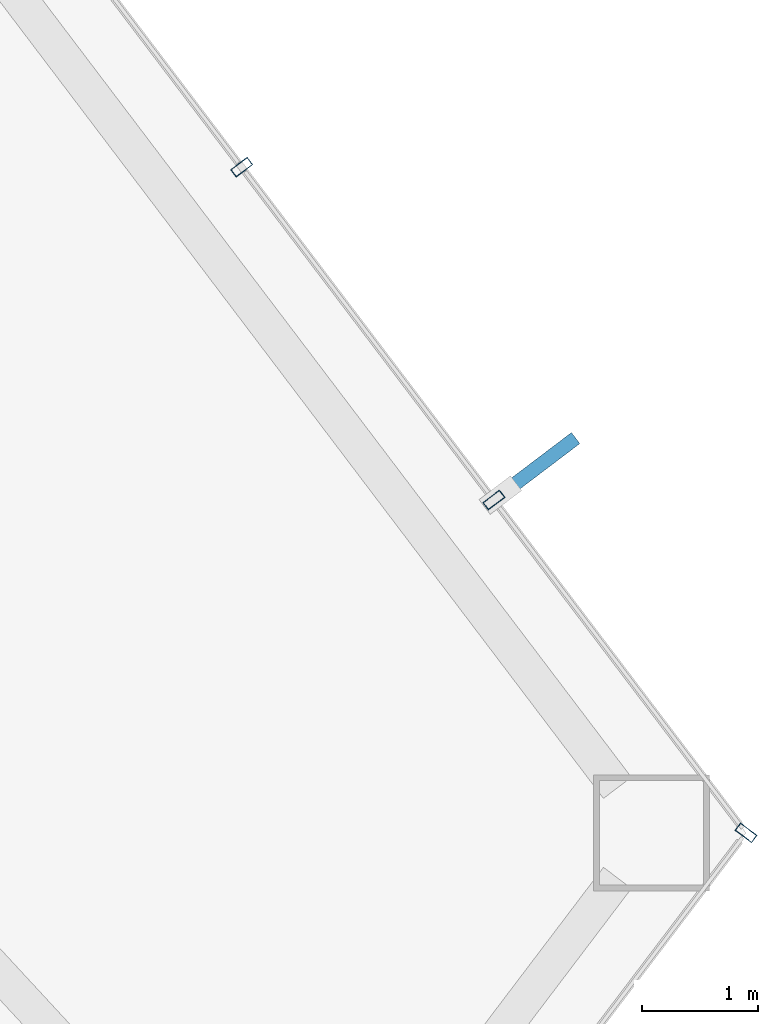
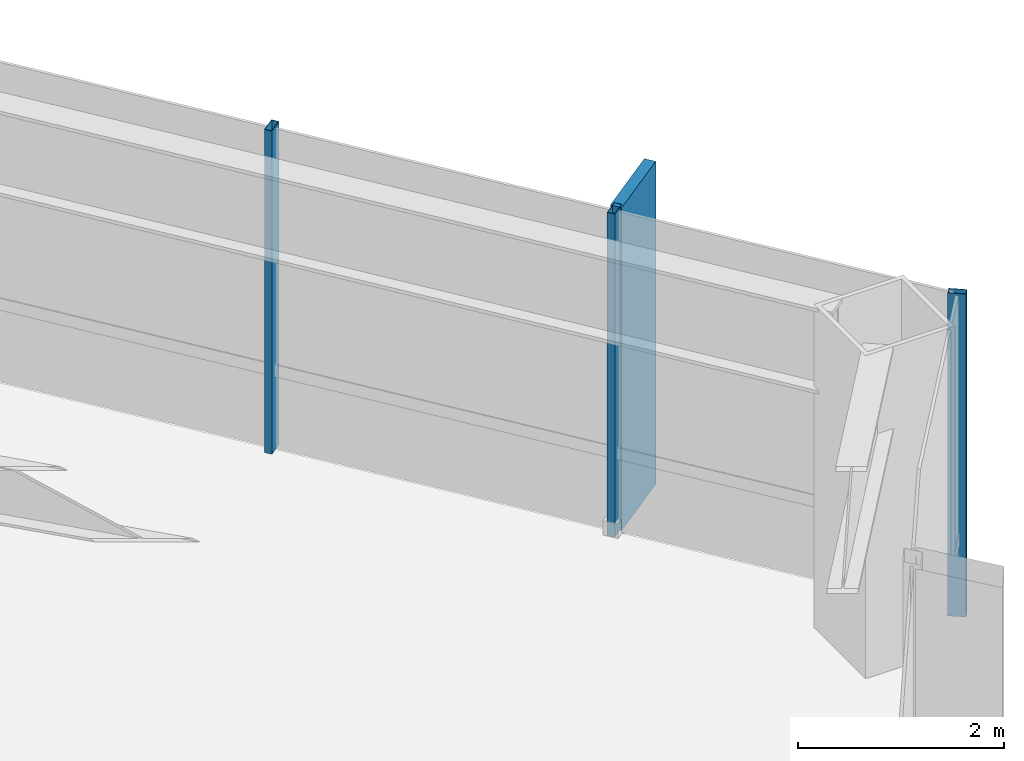
# One storey, part 19 of 25: 4 members, 2 elements without a shape of their own.
"""IFC4 building model written with IfcOpenShell, lengths in metres."""

from ifc_helpers import new_model, si_unit, direction, frame, origin, origin_2d, place, context, subcontext, project, spatial, rectangle, hollow_rectangle, extrude, material, layer, layer_set, material_profile, profile_set, type_object, element, aggregate, save


model = new_model("IFC4")

# Units and contexts
model_context = context("Model", 3, precision=1e-05, world=origin(), true_north=direction((0.0, 1.0)))
body_context = subcontext(model_context, "Body", "Model", "MODEL_VIEW")
ifc_project = project(units=[si_unit("LENGTHUNIT", "METRE"), si_unit("AREAUNIT", "SQUARE_METRE"), si_unit("VOLUMEUNIT", "CUBIC_METRE"), si_unit("PLANEANGLEUNIT", "RADIAN"), si_unit("MASSUNIT", "GRAM", prefix="KILO")], contexts=[model_context])

# Site, building, storey
site_placement = place(None, origin())
site = spatial("IfcSite", under=ifc_project, at=site_placement, CompositionType="ELEMENT")
building_placement = place(site_placement, origin())
building = spatial("IfcBuilding", under=site, at=building_placement, Name="Zarrinselat Tower", CompositionType="ELEMENT")
storey_placement = place(building_placement, frame((0.0, 0.0, 56.10009765625)))
storey = spatial("IfcBuildingStorey", under=building, at=storey_placement, Name="L13", CompositionType="ELEMENT", Elevation=56.10009765625)

# Curtain wall, member
ifc_material_1 = material(Name="Extruded Aluminium Alloy EN AW-6063 T6", Category="aluminium")
ifc_layer = layer(ifc_material_1, 0.18505859375)
ifc_layer_set = layer_set([ifc_layer], Name="Extruded Aluminium Alloy EN AW-6063 T6")
curtain_wall_type = type_object("IfcCurtainWallType", Name="CWS-OFF", PredefinedType="NOTDEFINED", material=ifc_layer_set)
curtain_wall_1_placement = place(storey_placement, origin())
curtain_wall_1 = element("IfcCurtainWall", 1, at=curtain_wall_1_placement, inside=storey, type_object=curtain_wall_type, Name="L13 Unitised Curtain Wall CW-L13-E05", PredefinedType="NOTDEFINED")
ifc_material_2 = material(Name="Extruded Aluminium Alloy EN AW-6063 T6", Category="aluminium")
ifc_material_profile_1 = material_profile(ifc_material_2, hollow_rectangle(XDim=0.080078125, YDim=0.179931640625, WallThickness=0.0048828125, at=origin_2d()), Name="RHS 180x80x5")
ifc_profile_set_1 = profile_set([ifc_material_profile_1], Name="Extruded Aluminium Alloy EN AW-6063 T6")
member_type_1 = type_object("IfcMemberType", Name="MEM-CW-MUL", PredefinedType="MULLION", material=ifc_profile_set_1)
member_1_placement = place(storey_placement, frame((61.77734375, 35.56591796875, 0.0), z_axis=(0.0, 0.0, 1.0), x_axis=(0.603860811653, 0.797089781737, 0.0)))
member_1 = element("IfcMember", 2, at=member_1_placement, type_object=member_type_1, Name="CW-L13-E05 Mullion 6", PredefinedType="MULLION", context=body_context, shape_type="SweptSolid", body=[
    extrude(hollow_rectangle(XDim=0.080078125, YDim=0.179931640625, WallThickness=0.0048828125, at=origin_2d()), origin(), (0.0, 0.0, 1.0), 3.81982421875),
])
aggregate(curtain_wall_1, [member_1])

# Curtain wall, members
curtain_wall_2_placement = place(storey_placement, origin())
curtain_wall_2 = element("IfcCurtainWall", 3, at=curtain_wall_2_placement, inside=storey, type_object=curtain_wall_type, Name="L13 Unitised Curtain Wall CW-L13-E06", PredefinedType="NOTDEFINED")
member_2_placement = place(storey_placement, frame((59.601318359375, 38.438232421875, 0.0), z_axis=(0.0, 0.0, 1.0), x_axis=(-0.603856726294, 0.797092876715, 0.0)))
member_2 = element("IfcMember", 4, at=member_2_placement, type_object=member_type_1, Name="CW-L13-E06 Mullion 1", PredefinedType="MULLION", context=body_context, shape_type="SweptSolid", body=[
    extrude(hollow_rectangle(XDim=0.080078125, YDim=0.179931640625, WallThickness=0.0048828125, at=origin_2d()), origin(), (0.0, 0.0, 1.0), 3.81982421875),
])
member_3_placement = place(storey_placement, frame((57.42529296875, 41.310791015625, 0.0), z_axis=(0.0, 0.0, 1.0), x_axis=(-0.603856726294, 0.797092876715, 0.0)))
member_3 = element("IfcMember", 5, at=member_3_placement, type_object=member_type_1, Name="CW-L13-E06 Mullion 2", PredefinedType="MULLION", context=body_context, shape_type="SweptSolid", body=[
    extrude(hollow_rectangle(XDim=0.080078125, YDim=0.179931640625, WallThickness=0.0048828125, at=origin_2d()), origin(), (0.0, 0.0, 1.0), 3.81982421875),
])
ifc_material_3 = material(Name="Honed Cream Travertine Stone", Category="masonry")
ifc_material_profile_2 = material_profile(ifc_material_3, rectangle(XDim=0.1201171875, YDim=0.85009765625, at=origin_2d()), Name="FIN 850x120")
ifc_profile_set_2 = profile_set([ifc_material_profile_2], Name="Honed Cream Travertine Stone")
member_type_2 = type_object("IfcMemberType", Name="MEM-STONE-FIN", PredefinedType="USERDEFINED", material=ifc_profile_set_2)
member_4_placement = place(storey_placement, frame((59.968017578125, 38.716064453125, 0.0), z_axis=(0.0, 0.0, 1.0), x_axis=(0.603856726294, -0.797092876715, 0.0)))
member_4 = element("IfcMember", 6, at=member_4_placement, type_object=member_type_2, Name="L13 Stone Shading Fin CW-L13-E06-01", ObjectType="FIN", PredefinedType="USERDEFINED", context=body_context, shape_type="SweptSolid", body=[
    extrude(rectangle(XDim=0.1201171875, YDim=0.85009765625, at=origin_2d()), origin(), (0.0, 0.0, 1.0), 3.81982421875),
])
aggregate(curtain_wall_2, [member_2, member_4, member_3])

save(model, "model.ifc")
